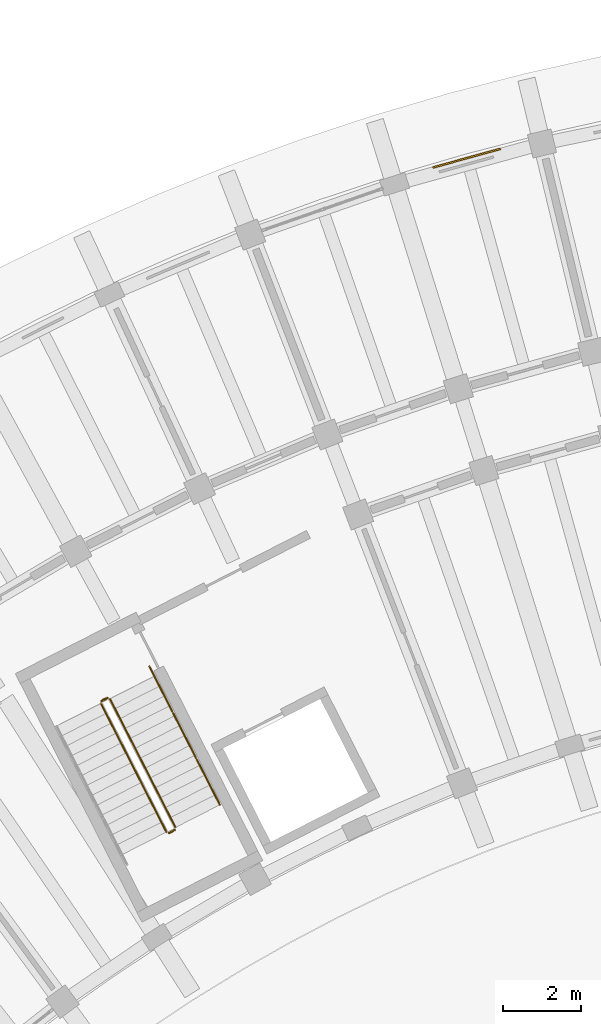
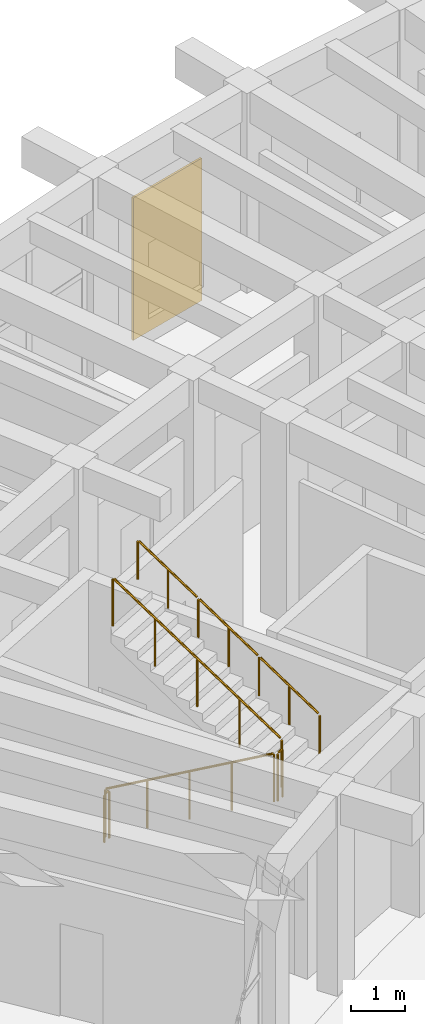
# One storey, part 123 of 132: 7 railings, 1 covering.
"""IFC4 building model written with IfcOpenShell, lengths in metres."""

from ifc_helpers import new_model, si_unit, direction, frame, origin, origin_2d, place, context, subcontext, project, spatial, rectangle, circle, extrude, material, layer, layer_set, type_object, element, save


model = new_model("IFC4")

# Units and contexts
model_context = context("Model", 3, precision=1e-05, world=origin(), true_north=direction((0.0, 1.0)))
body_context = subcontext(model_context, "Body", "Model", "MODEL_VIEW")
ifc_project = project(units=[si_unit("LENGTHUNIT", "METRE"), si_unit("AREAUNIT", "SQUARE_METRE"), si_unit("VOLUMEUNIT", "CUBIC_METRE"), si_unit("PLANEANGLEUNIT", "RADIAN"), si_unit("MASSUNIT", "GRAM", prefix="KILO")], contexts=[model_context])

# Site, building, storey
site_placement = place(None, origin())
site = spatial("IfcSite", under=ifc_project, at=site_placement, CompositionType="ELEMENT")
building_placement = place(site_placement, origin())
building = spatial("IfcBuilding", under=site, at=building_placement, Name="Tanwirah Colonnade Gardens", CompositionType="ELEMENT")
storey_placement = place(building_placement, origin())
storey = spatial("IfcBuildingStorey", under=building, at=storey_placement, Name="L00", CompositionType="ELEMENT", Elevation=0.0)

# Covering
ifc_material_1 = material(Name="Rusticated Abu Dhabi cream limestone cladding", Category="masonry")
ifc_layer = layer(ifc_material_1, 0.044921875)
ifc_layer_set = layer_set([ifc_layer], Name="Rusticated Abu Dhabi cream limestone cladding")
covering_type = type_object("IfcCoveringType", Name="COV-CLAD45", PredefinedType="CLADDING", material=ifc_layer_set)
covering_placement = place(storey_placement, frame((49.109375, 117.7158203125, 0.0), z_axis=(0.0, 0.0, 1.0), x_axis=(-0.963889105618, -0.266303946782, 0.0)))
element("IfcCovering", 1, at=covering_placement, inside=storey, type_object=covering_type, Name="Block A Base Limestone Rusticated Cladding", PredefinedType="CLADDING", context=body_context, shape_type="SweptSolid", body=[
    extrude(rectangle(XDim=1.800048828125, YDim=0.044921875, at=origin_2d()), origin(), (0.0, 0.0, 1.0), 3.199951171875),
])

# Railings
ifc_material_2 = material(Name="Powder-coated galvanized steel", Category="steel")
railing_type_1 = type_object("IfcRailingType", Name="GRD-ST110", PredefinedType="GUARDRAIL", material=ifc_material_2)
railing_1_placement = place(storey_placement, frame((39.718994140625, 103.715576171875, 0.169921875)))
element("IfcRailing", 2, at=railing_1_placement, inside=storey, type_object=railing_type_1, Name="L00 ST-A1 stair guard 1", PredefinedType="GUARDRAIL", context=body_context, shape_type="SweptSolid", body=[
    extrude(circle(Radius=0.02392578125, at=origin_2d()), frame((0.01220703125, -0.02392578125, 1.092041015625), z_axis=(0.389861963899, -0.765236387842, 0.512270358138), x_axis=(0.891027930544, 0.453948484952, 0.0)), (0.0, 0.0, 1.0), 4.25146484375),
    extrude(circle(Radius=0.02099609375, at=origin_2d()), origin(), (0.0, 0.0, 1.0), 1.049072265625),
    extrude(circle(Radius=0.02099609375, at=origin_2d()), frame((0.42041015625, -0.8251953125, 0.552490234375)), (0.0, 0.0, 1.0), 1.049072265625),
    extrude(circle(Radius=0.02099609375, at=origin_2d()), frame((0.8408203125, -1.650634765625, 1.10498046875)), (0.0, 0.0, 1.0), 1.049072265625),
    extrude(circle(Radius=0.02099609375, at=origin_2d()), frame((1.261474609375, -2.47607421875, 1.657470703125)), (0.0, 0.0, 1.0), 1.049072265625),
    extrude(circle(Radius=0.02099609375, at=origin_2d()), frame((1.681884765625, -3.30126953125, 2.2099609375)), (0.0, 0.0, 1.0), 1.049072265625),
])
railing_2_placement = place(storey_placement, frame((41.46826171875, 100.392578125, 2.3798828125)))
element("IfcRailing", 3, at=railing_2_placement, inside=storey, type_object=railing_type_1, Name="L00 ST-A1 stair guard 2", PredefinedType="GUARDRAIL", context=body_context, shape_type="SweptSolid", body=[
    extrude(circle(Radius=0.02392578125, at=origin_2d()), frame((0.02783203125, 0.01416015625, 1.076171875), z_axis=(0.891353773095, 0.453308340084, 0.0), x_axis=(-0.453308340084, 0.891353773095, 0.0)), (0.0, 0.0, 1.0), 0.097412109375),
    extrude(circle(Radius=0.02099609375, at=origin_2d()), origin(), (0.0, 0.0, 1.0), 1.049072265625),
    extrude(circle(Radius=0.02099609375, at=origin_2d()), frame((0.142578125, 0.072509765625, 0.0)), (0.0, 0.0, 1.0), 1.049072265625),
])
railing_3_placement = place(storey_placement, frame((41.632568359375, 100.532470703125, 2.550048828125)))
element("IfcRailing", 4, at=railing_3_placement, inside=storey, type_object=railing_type_1, Name="L00 ST-A1 stair guard 3", PredefinedType="GUARDRAIL", context=body_context, shape_type="SweptSolid", body=[
    extrude(circle(Radius=0.02392578125, at=origin_2d()), frame((-0.01220703125, 0.02392578125, 1.092041015625), z_axis=(-0.389926837974, 0.765196048802, 0.512281239092), x_axis=(-0.890987693886, -0.454027454395, 0.0)), (0.0, 0.0, 1.0), 4.25146484375),
    extrude(circle(Radius=0.02099609375, at=origin_2d()), origin(), (0.0, 0.0, 1.0), 1.049072265625),
    extrude(circle(Radius=0.02099609375, at=origin_2d()), frame((-0.42041015625, 0.8251953125, 0.552490234375)), (0.0, 0.0, 1.0), 1.049072265625),
    extrude(circle(Radius=0.02099609375, at=origin_2d()), frame((-0.841064453125, 1.650390625, 1.10498046875)), (0.0, 0.0, 1.0), 1.049072265625),
    extrude(circle(Radius=0.02099609375, at=origin_2d()), frame((-1.26171875, 2.475830078125, 1.657470703125)), (0.0, 0.0, 1.0), 1.049072265625),
    extrude(circle(Radius=0.02099609375, at=origin_2d()), frame((-1.68212890625, 3.301025390625, 2.2099609375)), (0.0, 0.0, 1.0), 1.049072265625),
])
railing_4_placement = place(storey_placement, frame((39.74072265625, 103.78271484375, 0.0)))
element("IfcRailing", 5, at=railing_4_placement, inside=storey, type_object=railing_type_1, Name="L00 ST-A1 stair guard 4", PredefinedType="GUARDRAIL", context=body_context, shape_type="SweptSolid", body=[
    extrude(circle(Radius=0.02392578125, at=origin_2d()), frame((0.02783203125, 0.01416015625, 1.076171875), z_axis=(0.89073666619, 0.4545197372, 0.0), x_axis=(-0.4545197372, 0.89073666619, 0.0)), (0.0, 0.0, 1.0), 0.09765625),
    extrude(circle(Radius=0.02099609375, at=origin_2d()), origin(), (0.0, 0.0, 1.0), 1.049072265625),
    extrude(circle(Radius=0.02099609375, at=origin_2d()), frame((0.142578125, 0.07275390625, 0.0)), (0.0, 0.0, 1.0), 1.049072265625),
])
ifc_material_3 = material(Name="Brushed bronze stainless steel", Category="steel")
railing_type_2 = type_object("IfcRailingType", Name="HR-ST090", PredefinedType="HANDRAIL", material=ifc_material_3)
railing_5_placement = place(storey_placement, frame((42.773193359375, 101.113525390625, 2.550048828125)))
element("IfcRailing", 6, at=railing_5_placement, inside=storey, type_object=railing_type_2, Name="L00 ST-A1 stair handrail 4", PredefinedType="HANDRAIL", context=body_context, shape_type="SweptSolid", body=[
    extrude(circle(Radius=0.02392578125, at=origin_2d()), frame((-0.01220703125, 0.02392578125, 0.891845703125), z_axis=(-0.389227280961, 0.763665813171, 0.51508897246), x_axis=(-0.890949831734, -0.454101747777, 0.0)), (0.0, 0.0, 1.0), 1.4892578125),
    extrude(circle(Radius=0.02099609375, at=origin_2d()), origin(), (0.0, 0.0, 1.0), 0.848876953125),
    extrude(circle(Radius=0.02099609375, at=origin_2d()), frame((-0.302001953125, 0.592529296875, 0.399658203125)), (0.0, 0.0, 1.0), 0.848876953125),
    extrude(circle(Radius=0.02099609375, at=origin_2d()), frame((-0.60400390625, 1.18505859375, 0.79931640625)), (0.0, 0.0, 1.0), 0.848876953125),
])
for number, where, name in (
    (7, (42.169189453125, 102.298583984375, 3.349365234375), "L00 ST-A1 stair handrail 5"),
    (8, (41.5654296875, 103.483642578125, 4.148681640625), "L00 ST-A1 stair handrail 6"),
):
    element("IfcRailing", number, at=place(storey_placement, frame(where)), inside=storey, type_object=railing_type_2, Name=name, PredefinedType="HANDRAIL", context=body_context, shape_type="SweptSolid", body=[
        extrude(circle(Radius=0.02392578125, at=origin_2d()), frame((-0.01220703125, 0.02392578125, 0.891845703125), z_axis=(-0.389093776309, 0.763712571857, 0.515120510973), x_axis=(-0.891024086855, -0.453956029417, 0.0)), (0.0, 0.0, 1.0), 1.4892578125),
        extrude(circle(Radius=0.02099609375, at=origin_2d()), origin(), (0.0, 0.0, 1.0), 0.848876953125),
        extrude(circle(Radius=0.02099609375, at=origin_2d()), frame((-0.3017578125, 0.592529296875, 0.399658203125)), (0.0, 0.0, 1.0), 0.848876953125),
        extrude(circle(Radius=0.02099609375, at=origin_2d()), frame((-0.603759765625, 1.18505859375, 0.79931640625)), (0.0, 0.0, 1.0), 0.848876953125),
    ])

save(model, "model.ifc")
